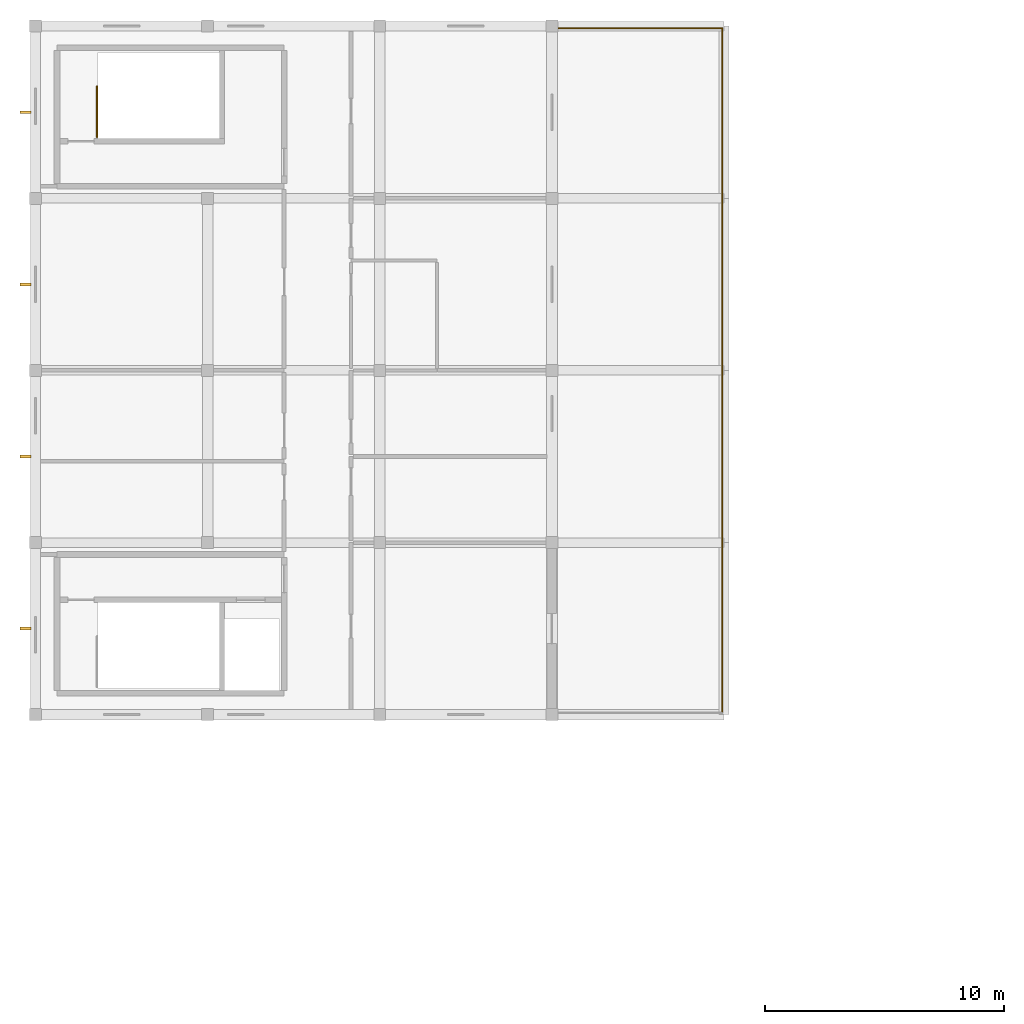
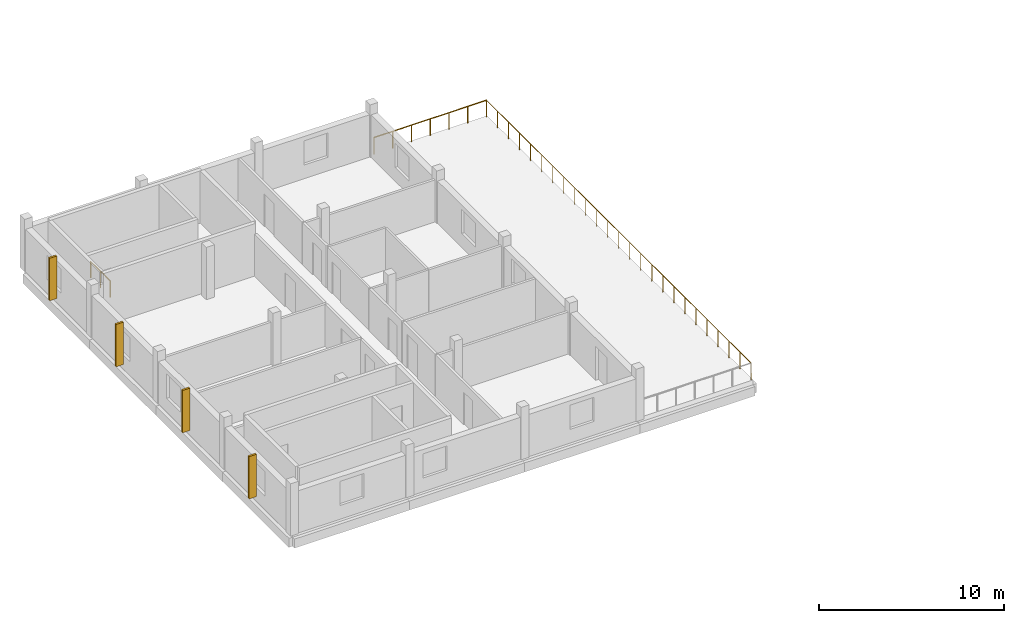
# One storey, part 64 of 66: 4 shading devices, 3 railings.
"""IFC4 building model written with IfcOpenShell, lengths in metres."""

import ifcopenshell
import ifcopenshell.guid

model = None  # the IFC model being written
_history = None  # IfcOwnerHistory: only IFC2X3 demands one
_inside = {}  # id of a spatial element -> (the spatial element, [elements in it])
_under = {}  # id of a project, library or spatial element -> (it, [spatial elements below it])
_declared = {}  # id of a project -> (the project, [libraries it declares])
_typed = {}  # id of a type object -> (the type object, [elements of that type])
_made_of = {}  # id of a material, layer set ... -> (it, [elements and type objects made of it])


def new_model(schema):
    """Start an empty IFC model of exactly this schema.

    Asked for "IFC4X3", IfcOpenShell would pick the latest addendum, in which some entities
    have other attributes; the version numbers below select the first issue.
    IFC2X3 requires an IfcOwnerHistory on every rooted entity: one is made here for all.
    """
    global model, _history
    if schema == "IFC4X3":
        model = ifcopenshell.file(schema_version=(4, 3, 0, 0))
    else:
        model = ifcopenshell.file(schema=schema)
    _inside.clear()
    _under.clear()
    _declared.clear()
    _typed.clear()
    _made_of.clear()
    _history = None
    if model.schema == "IFC2X3":
        org = make("IfcOrganization", Name="unknown")
        user = make(
            "IfcPersonAndOrganization",
            ThePerson=make("IfcPerson", FamilyName="unknown"),
            TheOrganization=org,
        )
        app = make(
            "IfcApplication",
            ApplicationDeveloper=org,
            Version="unknown",
            ApplicationFullName="unknown",
            ApplicationIdentifier="unknown",
        )
        _history = make(
            "IfcOwnerHistory",
            OwningUser=user,
            OwningApplication=app,
            ChangeAction="ADDED",
            CreationDate=0,
        )
    return model


def make(cls, **values):
    """One entity of the class cls with the attributes given. An attribute that is None is left unset."""
    return model.create_entity(
        cls, **{name: value for name, value in values.items() if value is not None}
    )


def rooted(cls, **values):
    """An entity with a GlobalId (a new one), such as an element, a storey or a relation."""
    return make(cls, GlobalId=ifcopenshell.guid.new(), OwnerHistory=_history, **values)


def si_unit(unit_type, name, prefix=None):
    """IfcSIUnit, for example si_unit("LENGTHUNIT", "METRE", prefix="MILLI")."""
    return make("IfcSIUnit", UnitType=unit_type, Prefix=prefix, Name=name)


def assignment(units):
    """IfcUnitAssignment: the units of a project."""
    return None if units is None else make("IfcUnitAssignment", Units=units)


def point(xyz):
    """IfcCartesianPoint."""
    return None if xyz is None else make("IfcCartesianPoint", Coordinates=xyz)


def direction(xyz):
    """IfcDirection."""
    return None if xyz is None else make("IfcDirection", DirectionRatios=xyz)


def frame(location, z_axis=None, x_axis=None):
    """IfcAxis2Placement3D, a coordinate frame: its origin and axes. An axis left out is left unset."""
    return make(
        "IfcAxis2Placement3D",
        Location=point(location),
        Axis=direction(z_axis),
        RefDirection=direction(x_axis),
    )


def frame_2d(location, x_axis=None):
    """IfcAxis2Placement2D, a coordinate frame in the plane: its origin and x axis."""
    return make(
        "IfcAxis2Placement2D", Location=point(location), RefDirection=direction(x_axis)
    )


def origin():
    """The frame at (0, 0, 0) with its axes left unset."""
    return frame((0.0, 0.0, 0.0))


def origin_2d():
    """The frame at (0, 0) in the plane with its x axis left unset."""
    return frame_2d((0.0, 0.0))


def place(relative_to, where):
    """IfcLocalPlacement: puts the frame where relative to a parent placement (None: the world)."""
    return make(
        "IfcLocalPlacement", PlacementRelTo=relative_to, RelativePlacement=where
    )


def context(
    kind, dimensions, precision=None, world=None, true_north=None, identifier=None
):
    """IfcGeometricRepresentationContext, for example the 3D "Model" context."""
    return make(
        "IfcGeometricRepresentationContext",
        ContextIdentifier=identifier,
        ContextType=kind,
        CoordinateSpaceDimension=dimensions,
        Precision=precision,
        WorldCoordinateSystem=world,
        TrueNorth=true_north,
    )


def subcontext(parent, identifier, kind, view, scale=None):
    """IfcGeometricRepresentationSubContext, for example "Body" below "Model"."""
    return make(
        "IfcGeometricRepresentationSubContext",
        ContextIdentifier=identifier,
        ContextType=kind,
        ParentContext=parent,
        TargetScale=scale,
        TargetView=view,
    )


def project(units=None, contexts=None):
    """IfcProject with its units and contexts."""
    return rooted(
        "IfcProject",
        Name="project",
        RepresentationContexts=contexts,
        UnitsInContext=assignment(units),
    )


def spatial(cls, under=None, at=None, **own):
    """A site, building, storey or space (cls), placed at a placement, below another one or the project."""
    s = rooted(cls, ObjectPlacement=at, **own)
    if under is not None:
        _under.setdefault(under.id(), (under, []))[1].append(s)
    return s


def profile(cls, at=None, kind="AREA", **sizes):
    """A parametric profile (cls). Its sizes go by their IFC names, for example OverallWidth=200.0."""
    return make(cls, ProfileType=kind, Position=at, **sizes)


def rectangle(**sizes):
    """IfcRectangleProfileDef."""
    return profile("IfcRectangleProfileDef", **sizes)


def circle(**sizes):
    """IfcCircleProfileDef."""
    return profile("IfcCircleProfileDef", **sizes)


def extrude(swept, where, along, depth):
    """IfcExtrudedAreaSolid: the profile swept, set in the frame where, extruded along a direction by depth."""
    return make(
        "IfcExtrudedAreaSolid",
        SweptArea=swept,
        Position=where,
        ExtrudedDirection=direction(along),
        Depth=depth,
    )


def shape(context_of_items, identifier, shape_type, items):
    """IfcShapeRepresentation: the items that make up one representation, for example the "Body"."""
    return make(
        "IfcShapeRepresentation",
        ContextOfItems=context_of_items,
        RepresentationIdentifier=identifier,
        RepresentationType=shape_type,
        Items=items,
    )


def material(Name=None, Category=None):
    """IfcMaterial."""
    return make("IfcMaterial", Name=Name, Category=Category)


def made_of(thing, what):
    """Note that an element or type object is made of a material, layer set ...; save() writes the relation."""
    if what is not None:
        _made_of.setdefault(what.id(), (what, []))[1].append(thing)
    return thing


def type_object(cls, material=None, **own):
    """A type object (cls), such as IfcWallType, which elements share."""
    return made_of(rooted(cls, **own), material)


def element(
    cls,
    number,
    at=None,
    inside=None,
    cuts=None,
    type_object=None,
    material=None,
    context=None,
    identifier="Body",
    shape_type=None,
    held_by="IfcProductDefinitionShape",
    body=None,
    shapes=None,
    **own,
):
    """One element of the class cls, such as IfcWall. Its Tag is "e" and its number.

    at: its placement. inside: the storey or other place that contains it. cuts: it is an
    opening in that element (IfcRelVoidsElement). A single representation is given by context,
    identifier, shape_type and body (its items); several are given by shapes. held_by: the class
    of the entity that holds the representations. save() writes the other relations.
    """
    e = rooted(cls, Tag="e%d" % number, ObjectPlacement=at, **own)
    if body is not None:
        shapes = [shape(context, identifier, shape_type, body)]
    if shapes is not None:
        e.Representation = make(held_by, Representations=shapes)
    if inside is not None:
        _inside.setdefault(inside.id(), (inside, []))[1].append(e)
    if cuts is not None:
        rooted(
            "IfcRelVoidsElement", RelatingBuildingElement=cuts, RelatedOpeningElement=e
        )
    if type_object is not None:
        _typed.setdefault(type_object.id(), (type_object, []))[1].append(e)
    return made_of(e, material)


def aggregate(whole, parts):
    """IfcRelAggregates: a whole, such as a stair, and the parts it consists of."""
    return rooted("IfcRelAggregates", RelatingObject=whole, RelatedObjects=parts)


def save(model, path):
    """Write the relations noted so far, then the file.

    IfcRelAggregates (storeys below a building ...), IfcRelContainedInSpatialStructure (elements
    in a storey), IfcRelDefinesByType, IfcRelAssociatesMaterial and IfcRelDeclares: one each for
    every whole, place, type object, material and project.
    """
    for whole, parts in _under.values():
        aggregate(whole, parts)
    for where, things in _inside.values():
        rooted(
            "IfcRelContainedInSpatialStructure",
            RelatedElements=things,
            RelatingStructure=where,
        )
    for kind, things in _typed.values():
        rooted("IfcRelDefinesByType", RelatedObjects=things, RelatingType=kind)
    for what, things in _made_of.values():
        rooted("IfcRelAssociatesMaterial", RelatedObjects=things, RelatingMaterial=what)
    for by, libraries in _declared.values():
        rooted("IfcRelDeclares", RelatingContext=by, RelatedDefinitions=libraries)
    model.write(path)


model = new_model("IFC4")

# Units and contexts
model_context = context("Model", 3, precision=1e-05, world=origin(), true_north=direction((0.0, 1.0)))
body_context = subcontext(model_context, "Body", "Model", "MODEL_VIEW")
ifc_project = project(units=[si_unit("LENGTHUNIT", "METRE"), si_unit("AREAUNIT", "SQUARE_METRE"), si_unit("VOLUMEUNIT", "CUBIC_METRE"), si_unit("PLANEANGLEUNIT", "RADIAN"), si_unit("MASSUNIT", "GRAM", prefix="KILO")], contexts=[model_context])

# Site, building, storey
site_placement = place(None, origin())
site = spatial("IfcSite", under=ifc_project, at=site_placement, CompositionType="ELEMENT")
building_placement = place(site_placement, origin())
building = spatial("IfcBuilding", under=site, at=building_placement, Name="Zornivar Specialist Clinic", CompositionType="ELEMENT")
storey_placement = place(building_placement, frame((0.0, 0.0, 16.0)))
storey = spatial("IfcBuildingStorey", under=building, at=storey_placement, Name="L04", CompositionType="ELEMENT", Elevation=16.0)

# Railings
ifc_material_1 = material(Name="Brushed Stainless Steel Stair Guardrail", Category="steel")
railing_type_1 = type_object("IfcRailingType", Name="GRD-INT-STAIR-1100", PredefinedType="GUARDRAIL", material=ifc_material_1)
railing_1_placement = place(storey_placement, frame((2.570068359375, 103.360107421875, 0.0)))
element("IfcRailing", 1, at=railing_1_placement, inside=storey, type_object=railing_type_1, Name="sg:C8:L04:topwell", PredefinedType="GUARDRAIL", context=body_context, shape_type="SweptSolid", body=[
    extrude(circle(Radius=0.02392578125, at=origin_2d()), frame((0.0, 0.0, 1.076171875), z_axis=(0.0, 1.0, 0.0), x_axis=(-1.0, 0.0, 0.0)), (0.0, 0.0, 1.0), 2.119873046875),
    extrude(circle(Radius=0.02099609375, at=origin_2d()), origin(), (0.0, 0.0, 1.0), 1.052001953125),
    extrude(circle(Radius=0.02099609375, at=origin_2d()), frame((0.0, 1.06005859375, 0.0)), (0.0, 0.0, 1.0), 1.052001953125),
    extrude(circle(Radius=0.02099609375, at=origin_2d()), frame((0.0, 2.119873046875, 0.0)), (0.0, 0.0, 1.0), 1.052001953125),
])
ifc_material_2 = material(Name="Anodised Bronze Terrace Guardrail")
railing_type_2 = type_object("IfcRailingType", Name="GRD-TERR-GUARD-1120", PredefinedType="GUARDRAIL", material=ifc_material_2)
railing_2_placement = place(storey_placement, frame((28.719970703125, 79.280029296875, 0.0)))
element("IfcRailing", 2, at=railing_2_placement, inside=storey, type_object=railing_type_2, Name="rail:V5:L04:terr:0:1", PredefinedType="GUARDRAIL", context=body_context, shape_type="SweptSolid", body=[
    extrude(circle(Radius=0.02392578125, at=origin_2d()), frame((0.0, 0.0, 1.09619140625), z_axis=(0.0, 1.0, 0.0), x_axis=(-1.0, 0.0, 0.0)), (0.0, 0.0, 1.0), 28.639892578125),
    extrude(circle(Radius=0.02099609375, at=origin_2d()), origin(), (0.0, 0.0, 1.0), 1.072021484375),
    extrude(circle(Radius=0.02099609375, at=origin_2d()), frame((0.0, 1.193359375, 0.0)), (0.0, 0.0, 1.0), 1.072021484375),
    extrude(circle(Radius=0.02099609375, at=origin_2d()), frame((0.0, 2.38671875, 0.0)), (0.0, 0.0, 1.0), 1.072021484375),
    extrude(circle(Radius=0.02099609375, at=origin_2d()), frame((0.0, 3.580078125, 0.0)), (0.0, 0.0, 1.0), 1.072021484375),
    extrude(circle(Radius=0.02099609375, at=origin_2d()), frame((0.0, 4.7734375, 0.0)), (0.0, 0.0, 1.0), 1.072021484375),
    extrude(circle(Radius=0.02099609375, at=origin_2d()), frame((0.0, 5.966552734375, 0.0)), (0.0, 0.0, 1.0), 1.072021484375),
    extrude(circle(Radius=0.02099609375, at=origin_2d()), frame((0.0, 7.159912109375, 0.0)), (0.0, 0.0, 1.0), 1.072021484375),
    extrude(circle(Radius=0.02099609375, at=origin_2d()), frame((0.0, 8.353271484375, 0.0)), (0.0, 0.0, 1.0), 1.072021484375),
    extrude(circle(Radius=0.02099609375, at=origin_2d()), frame((0.0, 9.546630859375, 0.0)), (0.0, 0.0, 1.0), 1.072021484375),
    extrude(circle(Radius=0.02099609375, at=origin_2d()), frame((0.0, 10.739990234375, 0.0)), (0.0, 0.0, 1.0), 1.072021484375),
    extrude(circle(Radius=0.02099609375, at=origin_2d()), frame((0.0, 11.933349609375, 0.0)), (0.0, 0.0, 1.0), 1.072021484375),
    extrude(circle(Radius=0.02099609375, at=origin_2d()), frame((0.0, 13.126708984375, 0.0)), (0.0, 0.0, 1.0), 1.072021484375),
    extrude(circle(Radius=0.02099609375, at=origin_2d()), frame((0.0, 14.31982421875, 0.0)), (0.0, 0.0, 1.0), 1.072021484375),
    extrude(circle(Radius=0.02099609375, at=origin_2d()), frame((0.0, 15.51318359375, 0.0)), (0.0, 0.0, 1.0), 1.072021484375),
    extrude(circle(Radius=0.02099609375, at=origin_2d()), frame((0.0, 16.70654296875, 0.0)), (0.0, 0.0, 1.0), 1.072021484375),
    extrude(circle(Radius=0.02099609375, at=origin_2d()), frame((0.0, 17.89990234375, 0.0)), (0.0, 0.0, 1.0), 1.072021484375),
    extrude(circle(Radius=0.02099609375, at=origin_2d()), frame((0.0, 19.09326171875, 0.0)), (0.0, 0.0, 1.0), 1.072021484375),
    extrude(circle(Radius=0.02099609375, at=origin_2d()), frame((0.0, 20.28662109375, 0.0)), (0.0, 0.0, 1.0), 1.072021484375),
    extrude(circle(Radius=0.02099609375, at=origin_2d()), frame((0.0, 21.47998046875, 0.0)), (0.0, 0.0, 1.0), 1.072021484375),
    extrude(circle(Radius=0.02099609375, at=origin_2d()), frame((0.0, 22.67333984375, 0.0)), (0.0, 0.0, 1.0), 1.072021484375),
    extrude(circle(Radius=0.02099609375, at=origin_2d()), frame((0.0, 23.86669921875, 0.0)), (0.0, 0.0, 1.0), 1.072021484375),
    extrude(circle(Radius=0.02099609375, at=origin_2d()), frame((0.0, 25.059814453125, 0.0)), (0.0, 0.0, 1.0), 1.072021484375),
    extrude(circle(Radius=0.02099609375, at=origin_2d()), frame((0.0, 26.253173828125, 0.0)), (0.0, 0.0, 1.0), 1.072021484375),
    extrude(circle(Radius=0.02099609375, at=origin_2d()), frame((0.0, 27.446533203125, 0.0)), (0.0, 0.0, 1.0), 1.072021484375),
    extrude(circle(Radius=0.02099609375, at=origin_2d()), frame((0.0, 28.639892578125, 0.0)), (0.0, 0.0, 1.0), 1.072021484375),
])
railing_3_placement = place(storey_placement, frame((28.719970703125, 107.919921875, 0.0)))
element("IfcRailing", 3, at=railing_3_placement, inside=storey, type_object=railing_type_2, Name="rail:V5:L04:terr:0:2", PredefinedType="GUARDRAIL", context=body_context, shape_type="SweptSolid", body=[
    extrude(circle(Radius=0.02392578125, at=origin_2d()), frame((0.0, 0.0, 1.09619140625), z_axis=(-1.0, 0.0, 0.0), x_axis=(0.0, -1.0, 0.0)), (0.0, 0.0, 1.0), 7.0400390625),
    extrude(circle(Radius=0.02099609375, at=origin_2d()), origin(), (0.0, 0.0, 1.0), 1.072021484375),
    extrude(circle(Radius=0.02099609375, at=origin_2d()), frame((-1.17333984375, 0.0, 0.0)), (0.0, 0.0, 1.0), 1.072021484375),
    extrude(circle(Radius=0.02099609375, at=origin_2d()), frame((-2.3466796875, 0.0, 0.0)), (0.0, 0.0, 1.0), 1.072021484375),
    extrude(circle(Radius=0.02099609375, at=origin_2d()), frame((-3.52001953125, 0.0, 0.0)), (0.0, 0.0, 1.0), 1.072021484375),
    extrude(circle(Radius=0.02099609375, at=origin_2d()), frame((-4.693359375, 0.0, 0.0)), (0.0, 0.0, 1.0), 1.072021484375),
    extrude(circle(Radius=0.02099609375, at=origin_2d()), frame((-5.86669921875, 0.0, 0.0)), (0.0, 0.0, 1.0), 1.072021484375),
    extrude(circle(Radius=0.02099609375, at=origin_2d()), frame((-7.0400390625, 0.0, 0.0)), (0.0, 0.0, 1.0), 1.072021484375),
])

# Shading devices
ifc_material_3 = material(Name="Oiled Larch and Bronze Solar Fin")
shading_device_type = type_object("IfcShadingDeviceType", Name="SHD-FACADE-FIN-450", PredefinedType="JALOUSIE", material=ifc_material_3)
for number, where, z_axis, x_axis, name in (
    (4, (-0.425048828125, 104.39990234375, 0.2998046875), (0.0, 0.0, 1.0), (0.0, -1.0, 0.0), "fin:V5:L04:10"),
    (5, (-0.425048828125, 97.199951171875, 0.2998046875), (0.0, 0.0, 1.0), (0.0, -1.0, 0.0), "fin:V5:L04:11"),
    (6, (-0.425048828125, 90.0, 0.2998046875), (0.0, 0.0, 1.0), (0.0, -1.0, 0.0), "fin:V5:L04:12"),
    (7, (-0.425048828125, 82.800048828125, 0.2998046875), (0.0, 0.0, 1.0), (0.0, -1.0, 0.0), "fin:V5:L04:13"),
):
    element("IfcShadingDevice", number, at=place(storey_placement, frame(where, z_axis=z_axis, x_axis=x_axis)), inside=storey, type_object=shading_device_type, Name=name, PredefinedType="JALOUSIE", context=body_context, shape_type="SweptSolid", body=[
        extrude(rectangle(XDim=0.1201171875, YDim=0.449951171875, at=origin_2d()), origin(), (0.0, 0.0, 1.0), 2.800048828125),
    ])

save(model, "model.ifc")
